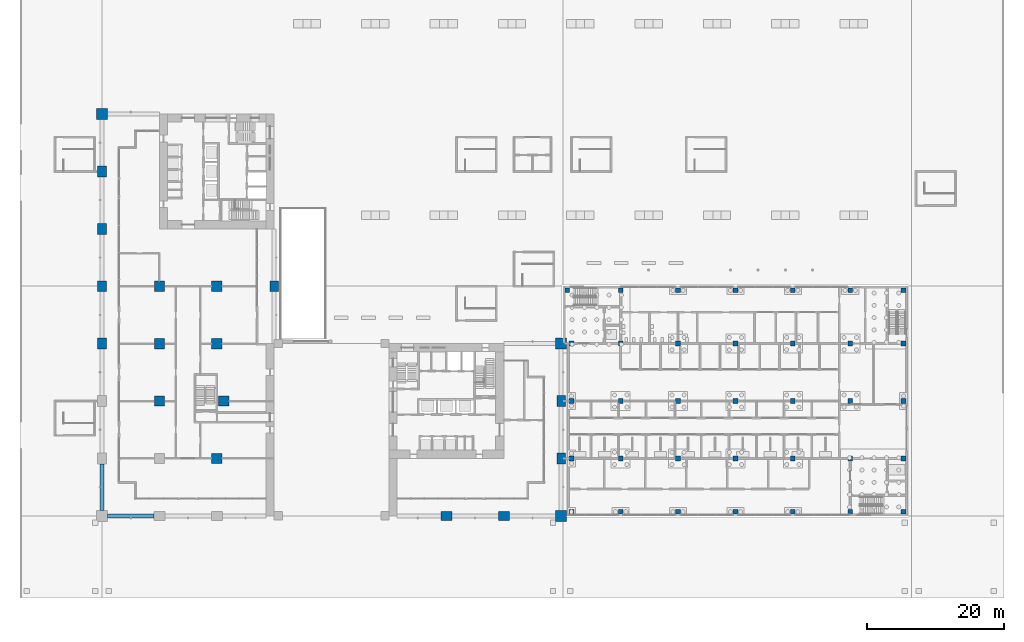
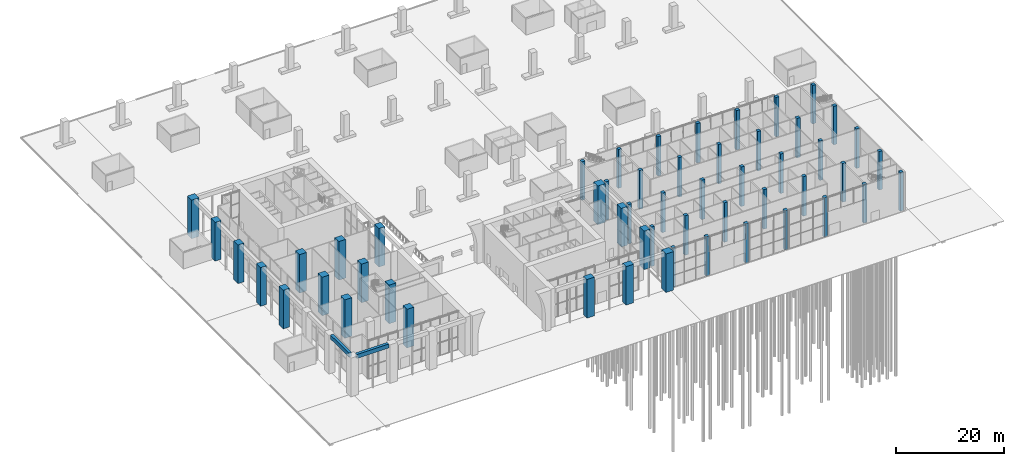
# One storey, part 2 of 46: 54 columns, 2 beams.
"""IFC4 building model written with IfcOpenShell, lengths in metres."""

from ifc_helpers import new_model, si_unit, direction, frame, origin, origin_2d, place, context, subcontext, project, spatial, rectangle, extrude, material, material_profile, profile_set, type_object, element, save


model = new_model("IFC4")

# Units and contexts
model_context = context("Model", 3, precision=1e-05, world=origin(), true_north=direction((0.0, 1.0)))
body_context = subcontext(model_context, "Body", "Model", "MODEL_VIEW")
ifc_project = project(units=[si_unit("LENGTHUNIT", "METRE"), si_unit("AREAUNIT", "SQUARE_METRE"), si_unit("VOLUMEUNIT", "CUBIC_METRE"), si_unit("PLANEANGLEUNIT", "RADIAN"), si_unit("MASSUNIT", "GRAM", prefix="KILO")], contexts=[model_context])

# Site, building, storey
site_placement = place(None, origin())
site = spatial("IfcSite", under=ifc_project, at=site_placement, CompositionType="ELEMENT")
building_placement = place(site_placement, origin())
building = spatial("IfcBuilding", under=site, at=building_placement, Name="Vermilion Gate Residences", CompositionType="ELEMENT")
storey_placement = place(building_placement, origin())
storey = spatial("IfcBuildingStorey", under=building, at=storey_placement, Name="L00", CompositionType="ELEMENT", Elevation=0.0)

# Columns
ifc_material_1 = material(Name="Concrete C80", Category="concrete")
ifc_material_profile_1 = material_profile(ifc_material_1, rectangle(XDim=1.5, YDim=1.5, at=origin_2d()), Name="RC-1500x1500")
ifc_profile_set_1 = profile_set([ifc_material_profile_1], Name="Concrete C80")
column_type_1 = type_object("IfcColumnType", Name="RC COLUMN 1500 X 1500 C80", PredefinedType="COLUMN", material=ifc_profile_set_1)
for number, where, z_axis, x_axis, name in (
    (1, (8.39990234375, 16.800048828125, 0.0), (0.0, 0.0, 1.0), (1.0, 0.0, 0.0), "Column 2-C L00"),
    (2, (8.39990234375, 25.199951171875, 0.0), (0.0, 0.0, 1.0), (1.0, 0.0, 0.0), "Column 2-D L00"),
    (3, (8.39990234375, 33.60009765625, 0.0), (0.0, 0.0, 1.0), (1.0, 0.0, 0.0), "Column 2-E L00"),
    (4, (16.800048828125, 8.39990234375, 0.0), (0.0, 0.0, 1.0), (1.0, 0.0, 0.0), "Column 3-B L00"),
    (5, (17.800048828125, 16.800048828125, 0.0), (0.0, 0.0, 1.0), (1.0, 0.0, 0.0), "Column 3-C L00"),
    (6, (16.800048828125, 25.199951171875, 0.0), (0.0, 0.0, 1.0), (1.0, 0.0, 0.0), "Column 3-D L00"),
    (7, (16.800048828125, 33.60009765625, 0.0), (0.0, 0.0, 1.0), (1.0, 0.0, 0.0), "Column 3-E L00"),
):
    element("IfcColumn", number, at=place(storey_placement, frame(where, z_axis=z_axis, x_axis=x_axis)), inside=storey, type_object=column_type_1, Name=name, PredefinedType="COLUMN", context=body_context, shape_type="SweptSolid", body=[
        extrude(rectangle(XDim=1.5, YDim=1.5, at=origin_2d()), origin(), (0.0, 0.0, 1.0), 8.699951171875),
    ])
ifc_material_2 = material(Name="Concrete C80", Category="concrete")
ifc_material_profile_2 = material_profile(ifc_material_2, rectangle(XDim=1.60009765625, YDim=1.300048828125, at=origin_2d()), Name="RC-1600x1300")
ifc_profile_set_2 = profile_set([ifc_material_profile_2], Name="Concrete C80")
column_type_2 = type_object("IfcColumnType", Name="RC COLUMN 1600 X 1300 C80", PredefinedType="COLUMN", material=ifc_profile_set_2)
for number, where, z_axis, x_axis, name in (
    (8, (0.0, 25.199951171875, 0.0), (0.0, 0.0, 1.0), (0.0, 1.0, 0.0), "Column 1-D L00"),
    (9, (0.0, 33.60009765625, 0.0), (0.0, 0.0, 1.0), (0.0, 1.0, 0.0), "Column 1-E L00"),
    (10, (0.0, 42.0, 0.0), (0.0, 0.0, 1.0), (0.0, 1.0, 0.0), "Column 1-F L00"),
    (11, (0.0, 50.39990234375, 0.0), (0.0, 0.0, 1.0), (0.0, 1.0, 0.0), "Column 1-G L00"),
    (12, (25.199951171875, 33.60009765625, 0.0), (0.0, 0.0, 1.0), (0.0, 1.0, 0.0), "Column 4-E L00"),
    (13, (50.39990234375, 0.0, 0.0), (0.0, 0.0, 1.0), (1.0, 0.0, 0.0), "Column 7-A L00"),
    (14, (58.800048828125, 0.0, 0.0), (0.0, 0.0, 1.0), (1.0, 0.0, 0.0), "Column 8-A L00"),
    (15, (67.199951171875, 8.39990234375, 0.0), (0.0, 0.0, 1.0), (0.0, 1.0, 0.0), "Column 9-B L00"),
    (16, (67.199951171875, 16.800048828125, 0.0), (0.0, 0.0, 1.0), (0.0, 1.0, 0.0), "Column 9-C L00"),
):
    element("IfcColumn", number, at=place(storey_placement, frame(where, z_axis=z_axis, x_axis=x_axis)), inside=storey, type_object=column_type_2, Name=name, PredefinedType="COLUMN", context=body_context, shape_type="SweptSolid", body=[
        extrude(rectangle(XDim=1.60009765625, YDim=1.300048828125, at=origin_2d()), origin(), (0.0, 0.0, 1.0), 8.699951171875),
    ])
ifc_material_3 = material(Name="Concrete C80", Category="concrete")
ifc_material_profile_3 = material_profile(ifc_material_3, rectangle(XDim=1.60009765625, YDim=1.60009765625, at=origin_2d()), Name="RC-1600x1600")
ifc_profile_set_3 = profile_set([ifc_material_profile_3], Name="Concrete C80")
column_type_3 = type_object("IfcColumnType", Name="RC COLUMN 1600 X 1600 C80", PredefinedType="COLUMN", material=ifc_profile_set_3)
for number, where, z_axis, x_axis, name in (
    (17, (0.0, 58.800048828125, 0.0), (0.0, 0.0, 1.0), (1.0, 0.0, 0.0), "Column 1-H L00"),
    (18, (67.199951171875, 0.0, 0.0), (0.0, 0.0, 1.0), (1.0, 0.0, 0.0), "Column 9-A L00"),
    (19, (67.199951171875, 25.199951171875, 0.0), (0.0, 0.0, 1.0), (1.0, 0.0, 0.0), "Column 9-D L00"),
):
    element("IfcColumn", number, at=place(storey_placement, frame(where, z_axis=z_axis, x_axis=x_axis)), inside=storey, type_object=column_type_3, Name=name, PredefinedType="COLUMN", context=body_context, shape_type="SweptSolid", body=[
        extrude(rectangle(XDim=1.60009765625, YDim=1.60009765625, at=origin_2d()), origin(), (0.0, 0.0, 1.0), 8.699951171875),
    ])
ifc_material_4 = material(Name="Concrete C50", Category="concrete")
ifc_material_profile_4 = material_profile(ifc_material_4, rectangle(XDim=0.699951171875, YDim=0.699951171875, at=origin_2d()), Name="RC COLUMN 700 X 700 C50 (MARKET HALL)")
ifc_profile_set_4 = profile_set([ifc_material_profile_4], Name="Concrete C50")
column_type_4 = type_object("IfcColumnType", Name="RC COLUMN 700 X 700 C50 (MARKET HALL)", PredefinedType="COLUMN", material=ifc_profile_set_4)
for number, where, z_axis, x_axis, name in (
    (20, (68.699951171875, 0.60009765625, -0.199951171875), (0.0, 0.0, 1.0), (1.0, 0.0, 0.0), "Column H1-MA L00"),
    (21, (68.699951171875, 8.39990234375, -0.199951171875), (0.0, 0.0, 1.0), (1.0, 0.0, 0.0), "Column H1-MB L00"),
    (22, (68.699951171875, 16.800048828125, -0.199951171875), (0.0, 0.0, 1.0), (1.0, 0.0, 0.0), "Column H1-MC L00"),
):
    element("IfcColumn", number, at=place(storey_placement, frame(where, z_axis=z_axis, x_axis=x_axis)), inside=storey, type_object=column_type_4, Name=name, PredefinedType="COLUMN", context=body_context, shape_type="SweptSolid", body=[
        extrude(rectangle(XDim=0.699951171875, YDim=0.699951171875, at=origin_2d()), origin(), (0.0, 0.0, 1.0), 8.89990234375),
    ])
for number, where, z_axis, x_axis, name in (
    (23, (68.699951171875, 25.199951171875, 0.0), (0.0, 0.0, 1.0), (1.0, 0.0, 0.0), "Column H1-MD L00"),
    (24, (68.10009765625, 33.0, 0.0), (0.0, 0.0, 1.0), (1.0, 0.0, 0.0), "Column H1-ME L00"),
):
    element("IfcColumn", number, at=place(storey_placement, frame(where, z_axis=z_axis, x_axis=x_axis)), inside=storey, type_object=column_type_4, Name=name, PredefinedType="COLUMN", context=body_context, shape_type="SweptSolid", body=[
        extrude(rectangle(XDim=0.699951171875, YDim=0.699951171875, at=origin_2d()), origin(), (0.0, 0.0, 1.0), 8.699951171875),
    ])
for number, where, z_axis, x_axis, name in (
    (25, (75.89990234375, 0.60009765625, -0.199951171875), (0.0, 0.0, 1.0), (1.0, 0.0, 0.0), "Column H2-MA L00"),
    (26, (75.89990234375, 8.39990234375, -0.199951171875), (0.0, 0.0, 1.0), (1.0, 0.0, 0.0), "Column H2-MB L00"),
    (27, (75.89990234375, 16.800048828125, -0.199951171875), (0.0, 0.0, 1.0), (1.0, 0.0, 0.0), "Column H2-MC L00"),
):
    element("IfcColumn", number, at=place(storey_placement, frame(where, z_axis=z_axis, x_axis=x_axis)), inside=storey, type_object=column_type_4, Name=name, PredefinedType="COLUMN", context=body_context, shape_type="SweptSolid", body=[
        extrude(rectangle(XDim=0.699951171875, YDim=0.699951171875, at=origin_2d()), origin(), (0.0, 0.0, 1.0), 8.89990234375),
    ])
for number, where, z_axis, x_axis, name in (
    (28, (75.89990234375, 25.199951171875, 0.0), (0.0, 0.0, 1.0), (1.0, 0.0, 0.0), "Column H2-MD L00"),
    (29, (75.89990234375, 33.0, 0.0), (0.0, 0.0, 1.0), (1.0, 0.0, 0.0), "Column H2-ME L00"),
):
    element("IfcColumn", number, at=place(storey_placement, frame(where, z_axis=z_axis, x_axis=x_axis)), inside=storey, type_object=column_type_4, Name=name, PredefinedType="COLUMN", context=body_context, shape_type="SweptSolid", body=[
        extrude(rectangle(XDim=0.699951171875, YDim=0.699951171875, at=origin_2d()), origin(), (0.0, 0.0, 1.0), 8.699951171875),
    ])
for number, where, z_axis, x_axis, name in (
    (30, (84.300048828125, 0.60009765625, -0.199951171875), (0.0, 0.0, 1.0), (1.0, 0.0, 0.0), "Column H3-MA L00"),
    (31, (84.300048828125, 8.39990234375, -0.199951171875), (0.0, 0.0, 1.0), (1.0, 0.0, 0.0), "Column H3-MB L00"),
    (32, (84.300048828125, 16.800048828125, -0.199951171875), (0.0, 0.0, 1.0), (1.0, 0.0, 0.0), "Column H3-MC L00"),
    (33, (84.300048828125, 25.199951171875, -0.199951171875), (0.0, 0.0, 1.0), (1.0, 0.0, 0.0), "Column H3-MD L00"),
    (34, (84.300048828125, 33.0, -0.199951171875), (0.0, 0.0, 1.0), (1.0, 0.0, 0.0), "Column H3-ME L00"),
    (35, (92.699951171875, 0.60009765625, -0.199951171875), (0.0, 0.0, 1.0), (1.0, 0.0, 0.0), "Column H4-MA L00"),
    (36, (92.699951171875, 8.39990234375, -0.199951171875), (0.0, 0.0, 1.0), (1.0, 0.0, 0.0), "Column H4-MB L00"),
    (37, (92.699951171875, 16.800048828125, -0.199951171875), (0.0, 0.0, 1.0), (1.0, 0.0, 0.0), "Column H4-MC L00"),
    (38, (92.699951171875, 25.199951171875, -0.199951171875), (0.0, 0.0, 1.0), (1.0, 0.0, 0.0), "Column H4-MD L00"),
    (39, (92.699951171875, 33.0, -0.199951171875), (0.0, 0.0, 1.0), (1.0, 0.0, 0.0), "Column H4-ME L00"),
    (40, (101.10009765625, 0.60009765625, -0.199951171875), (0.0, 0.0, 1.0), (1.0, 0.0, 0.0), "Column H5-MA L00"),
    (41, (101.10009765625, 8.39990234375, -0.199951171875), (0.0, 0.0, 1.0), (1.0, 0.0, 0.0), "Column H5-MB L00"),
    (42, (101.10009765625, 16.800048828125, -0.199951171875), (0.0, 0.0, 1.0), (1.0, 0.0, 0.0), "Column H5-MC L00"),
    (43, (101.10009765625, 25.199951171875, -0.199951171875), (0.0, 0.0, 1.0), (1.0, 0.0, 0.0), "Column H5-MD L00"),
    (44, (101.10009765625, 33.0, -0.199951171875), (0.0, 0.0, 1.0), (1.0, 0.0, 0.0), "Column H5-ME L00"),
):
    element("IfcColumn", number, at=place(storey_placement, frame(where, z_axis=z_axis, x_axis=x_axis)), inside=storey, type_object=column_type_4, Name=name, PredefinedType="COLUMN", context=body_context, shape_type="SweptSolid", body=[
        extrude(rectangle(XDim=0.699951171875, YDim=0.699951171875, at=origin_2d()), origin(), (0.0, 0.0, 1.0), 8.89990234375),
    ])
for number, where, z_axis, x_axis, name in (
    (45, (109.5, 0.60009765625, 0.0), (0.0, 0.0, 1.0), (1.0, 0.0, 0.0), "Column H6-MA L00"),
    (46, (109.5, 8.39990234375, 0.0), (0.0, 0.0, 1.0), (1.0, 0.0, 0.0), "Column H6-MB L00"),
):
    element("IfcColumn", number, at=place(storey_placement, frame(where, z_axis=z_axis, x_axis=x_axis)), inside=storey, type_object=column_type_4, Name=name, PredefinedType="COLUMN", context=body_context, shape_type="SweptSolid", body=[
        extrude(rectangle(XDim=0.699951171875, YDim=0.699951171875, at=origin_2d()), origin(), (0.0, 0.0, 1.0), 8.699951171875),
    ])
for number, where, z_axis, x_axis, name in (
    (47, (109.5, 16.800048828125, -0.199951171875), (0.0, 0.0, 1.0), (1.0, 0.0, 0.0), "Column H6-MC L00"),
    (48, (109.5, 25.199951171875, -0.199951171875), (0.0, 0.0, 1.0), (1.0, 0.0, 0.0), "Column H6-MD L00"),
    (49, (109.5, 33.0, -0.199951171875), (0.0, 0.0, 1.0), (1.0, 0.0, 0.0), "Column H6-ME L00"),
):
    element("IfcColumn", number, at=place(storey_placement, frame(where, z_axis=z_axis, x_axis=x_axis)), inside=storey, type_object=column_type_4, Name=name, PredefinedType="COLUMN", context=body_context, shape_type="SweptSolid", body=[
        extrude(rectangle(XDim=0.699951171875, YDim=0.699951171875, at=origin_2d()), origin(), (0.0, 0.0, 1.0), 8.89990234375),
    ])
for number, where, z_axis, x_axis, name in (
    (50, (117.300048828125, 0.60009765625, 0.0), (0.0, 0.0, 1.0), (1.0, 0.0, 0.0), "Column H7-MA L00"),
    (51, (117.300048828125, 8.39990234375, 0.0), (0.0, 0.0, 1.0), (1.0, 0.0, 0.0), "Column H7-MB L00"),
):
    element("IfcColumn", number, at=place(storey_placement, frame(where, z_axis=z_axis, x_axis=x_axis)), inside=storey, type_object=column_type_4, Name=name, PredefinedType="COLUMN", context=body_context, shape_type="SweptSolid", body=[
        extrude(rectangle(XDim=0.699951171875, YDim=0.699951171875, at=origin_2d()), origin(), (0.0, 0.0, 1.0), 8.699951171875),
    ])
column_placement = place(storey_placement, frame((117.300048828125, 16.800048828125, -0.199951171875), z_axis=(0.0, 0.0, 1.0), x_axis=(1.0, 0.0, 0.0)))
element("IfcColumn", 52, at=column_placement, inside=storey, type_object=column_type_4, Name="Column H7-MC L00", PredefinedType="COLUMN", context=body_context, shape_type="SweptSolid", body=[
    extrude(rectangle(XDim=0.699951171875, YDim=0.699951171875, at=origin_2d()), origin(), (0.0, 0.0, 1.0), 8.89990234375),
])
for number, where, z_axis, x_axis, name in (
    (53, (117.300048828125, 25.199951171875, 0.0), (0.0, 0.0, 1.0), (1.0, 0.0, 0.0), "Column H7-MD L00"),
    (54, (117.300048828125, 33.0, 0.0), (0.0, 0.0, 1.0), (1.0, 0.0, 0.0), "Column H7-ME L00"),
):
    element("IfcColumn", number, at=place(storey_placement, frame(where, z_axis=z_axis, x_axis=x_axis)), inside=storey, type_object=column_type_4, Name=name, PredefinedType="COLUMN", context=body_context, shape_type="SweptSolid", body=[
        extrude(rectangle(XDim=0.699951171875, YDim=0.699951171875, at=origin_2d()), origin(), (0.0, 0.0, 1.0), 8.699951171875),
    ])

# Beams
ifc_material_5 = material(Name="Concrete C60 red-oxide pigmented", Category="concrete")
ifc_material_profile_5 = material_profile(ifc_material_5, rectangle(XDim=0.60009765625, YDim=0.89990234375, at=origin_2d()), Name="RC-600x900")
ifc_profile_set_5 = profile_set([ifc_material_profile_5], Name="Concrete C60 red-oxide pigmented")
beam_type = type_object("IfcBeamType", Name="RC EDGE BEAM 600 X 900 C60", PredefinedType="BEAM", material=ifc_profile_set_5)
for number, where, z_axis, x_axis, name in (
    (55, (0.800048828125, 0.0, 8.25), (1.0, 0.0, 0.0), (0.0, 1.0, 0.0), "Edge beam L00 1"),
    (56, (0.0, 0.800048828125, 8.25), (0.0, 1.0, 0.0), (-1.0, 0.0, 0.0), "Edge beam L00 2"),
):
    element("IfcBeam", number, at=place(storey_placement, frame(where, z_axis=z_axis, x_axis=x_axis)), inside=storey, type_object=beam_type, Name=name, PredefinedType="BEAM", context=body_context, shape_type="SweptSolid", body=[
        extrude(rectangle(XDim=0.60009765625, YDim=0.89990234375, at=origin_2d()), origin(), (0.0, 0.0, 1.0), 6.800048828125),
    ])

save(model, "model.ifc")
